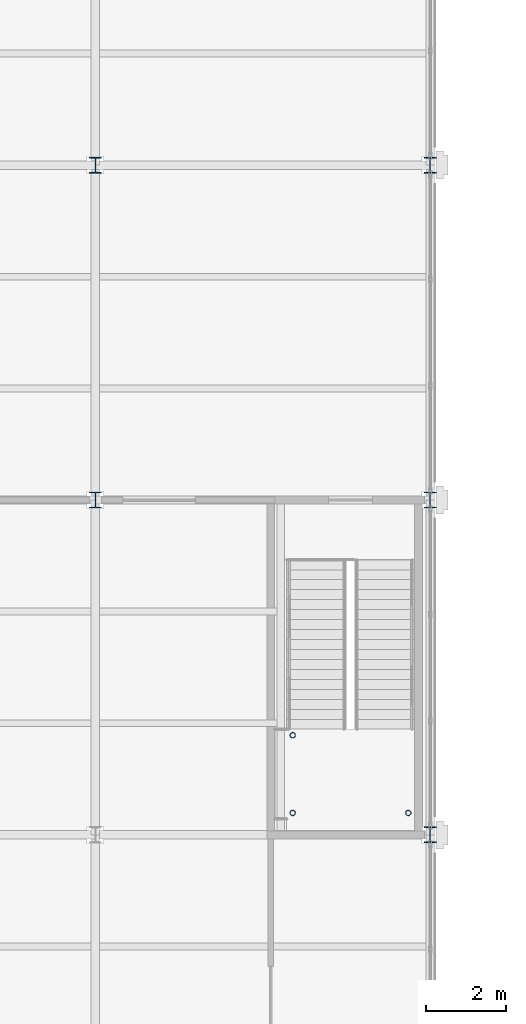
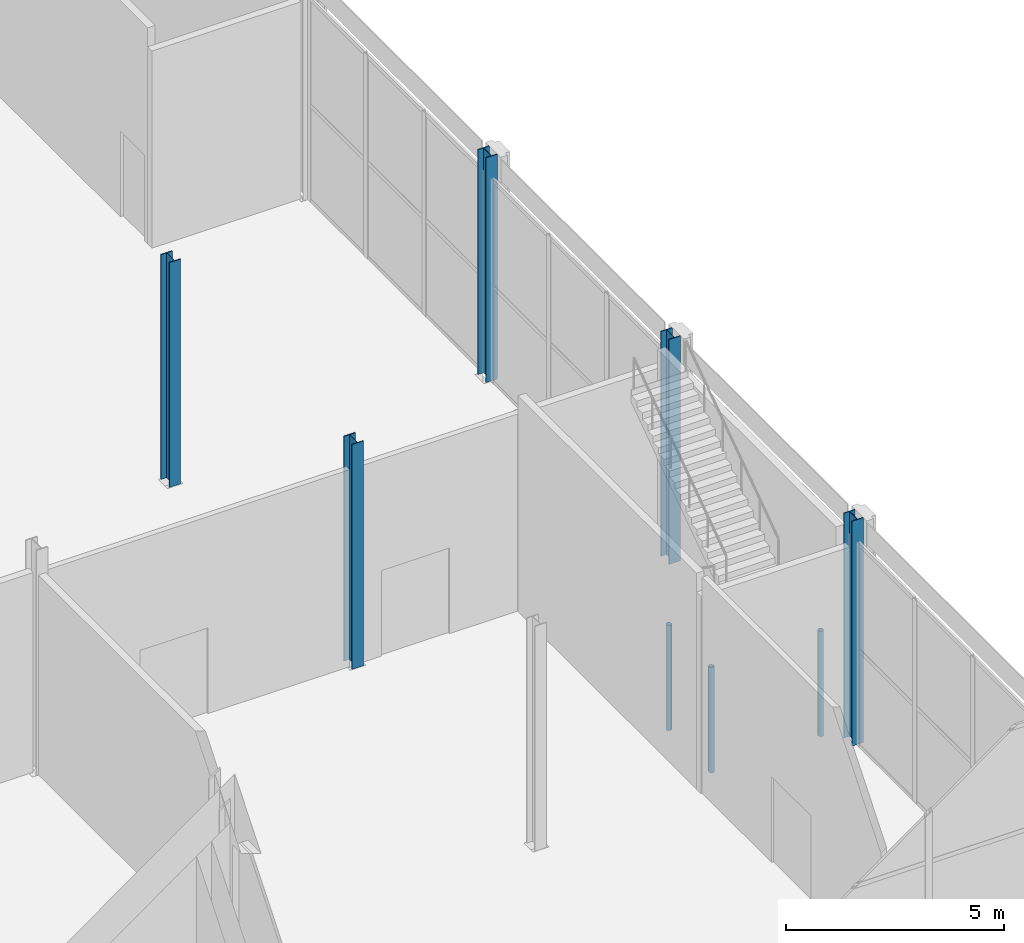
# One storey, part 3 of 77: 8 columns.
"""IFC4 building model written with IfcOpenShell, lengths in metres."""

from ifc_helpers import new_model, si_unit, direction, frame, origin, origin_2d, place, context, subcontext, project, spatial, hollow_circle, i_section, extrude, material, material_profile, profile_set, type_object, element, save


model = new_model("IFC4")

# Units and contexts
model_context = context("Model", 3, precision=1e-05, world=origin(), true_north=direction((0.0, 1.0)))
body_context = subcontext(model_context, "Body", "Model", "MODEL_VIEW")
ifc_project = project(units=[si_unit("LENGTHUNIT", "METRE"), si_unit("AREAUNIT", "SQUARE_METRE"), si_unit("VOLUMEUNIT", "CUBIC_METRE"), si_unit("PLANEANGLEUNIT", "RADIAN"), si_unit("MASSUNIT", "GRAM", prefix="KILO")], contexts=[model_context])

# Site, building, storey
site_placement = place(None, origin())
site = spatial("IfcSite", under=ifc_project, at=site_placement, CompositionType="ELEMENT")
building_placement = place(site_placement, origin())
building = spatial("IfcBuilding", under=site, at=building_placement, Name="Catenary Quay Ferry Terminal", CompositionType="ELEMENT")
storey_placement = place(building_placement, frame((0.0, 0.0, 10.800048828125)))
storey = spatial("IfcBuildingStorey", under=building, at=storey_placement, Name="L02", CompositionType="ELEMENT", Elevation=10.800048828125)

# Columns
ifc_material_1 = material(Name="Steel S355", Category="steel")
ifc_material_profile_1 = material_profile(ifc_material_1, i_section(OverallWidth=0.300048828125, OverallDepth=0.39990234375, WebThickness=0.013427734375, FlangeThickness=0.02392578125, at=origin_2d()), Name="HEB 400")
ifc_profile_set_1 = profile_set([ifc_material_profile_1], Name="Steel S355")
column_type_1 = type_object("IfcColumnType", Name="C2 HEB 400", PredefinedType="COLUMN", material=ifc_profile_set_1)
for number, where, z_axis, x_axis, name in (
    (1, (58.800048828125, 176.39990234375, 0.0), (0.0, 0.0, 1.0), (1.0, 0.0, 0.0), "Column C-H22 L02"),
    (2, (58.800048828125, 184.800048828125, 0.0), (0.0, 0.0, 1.0), (1.0, 0.0, 0.0), "Column C-H23 L02"),
    (3, (67.199951171875, 168.0, 0.0), (0.0, 0.0, 1.0), (1.0, 0.0, 0.0), "Column C-I21 L02"),
    (4, (67.199951171875, 176.39990234375, 0.0), (0.0, 0.0, 1.0), (1.0, 0.0, 0.0), "Column C-I22 L02"),
    (5, (67.199951171875, 184.800048828125, 0.0), (0.0, 0.0, 1.0), (1.0, 0.0, 0.0), "Column C-I23 L02"),
):
    element("IfcColumn", number, at=place(storey_placement, frame(where, z_axis=z_axis, x_axis=x_axis)), inside=storey, type_object=column_type_1, Name=name, PredefinedType="COLUMN", context=body_context, shape_type="SweptSolid", body=[
        extrude(i_section(OverallWidth=0.300048828125, OverallDepth=0.39990234375, WebThickness=0.013427734375, FlangeThickness=0.02392578125, at=origin_2d()), origin(), (0.0, 0.0, 1.0), 6.300048828125),
    ])
ifc_material_2 = material(Name="Steel S355", Category="steel")
ifc_material_profile_2 = material_profile(ifc_material_2, hollow_circle(Radius=0.06982421875, WallThickness=0.008056640625, at=origin_2d()), Name="CHS 139.7x8")
ifc_profile_set_2 = profile_set([ifc_material_profile_2], Name="Steel S355")
column_type_2 = type_object("IfcColumnType", Name="SP1 CHS 139.7x8", PredefinedType="COLUMN", material=ifc_profile_set_2)
for number, where, z_axis, x_axis, name in (
    (6, (63.75, 168.550048828125, 0.0), (0.0, 0.0, 1.0), (1.0, 0.0, 0.0), "Landing post HS3-L00 1"),
    (7, (66.64990234375, 168.550048828125, 0.0), (0.0, 0.0, 1.0), (1.0, 0.0, 0.0), "Landing post HS3-L00 2"),
    (8, (63.75, 170.5, 0.0), (0.0, 0.0, 1.0), (1.0, 0.0, 0.0), "Landing post HS3-L00 3"),
):
    element("IfcColumn", number, at=place(storey_placement, frame(where, z_axis=z_axis, x_axis=x_axis)), inside=storey, type_object=column_type_2, Name=name, PredefinedType="COLUMN", context=body_context, shape_type="SweptSolid", body=[
        extrude(hollow_circle(Radius=0.06982421875, WallThickness=0.008056640625, at=origin_2d()), origin(), (0.0, 0.0, 1.0), 2.949951171875),
    ])

save(model, "model.ifc")
